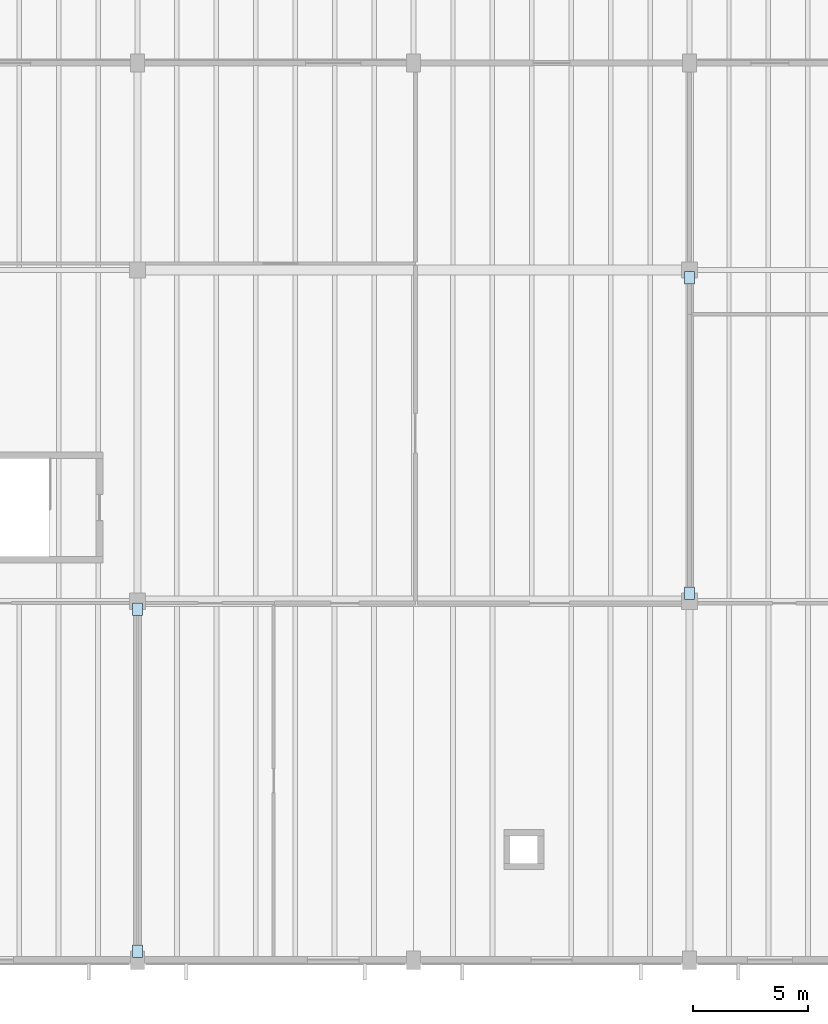
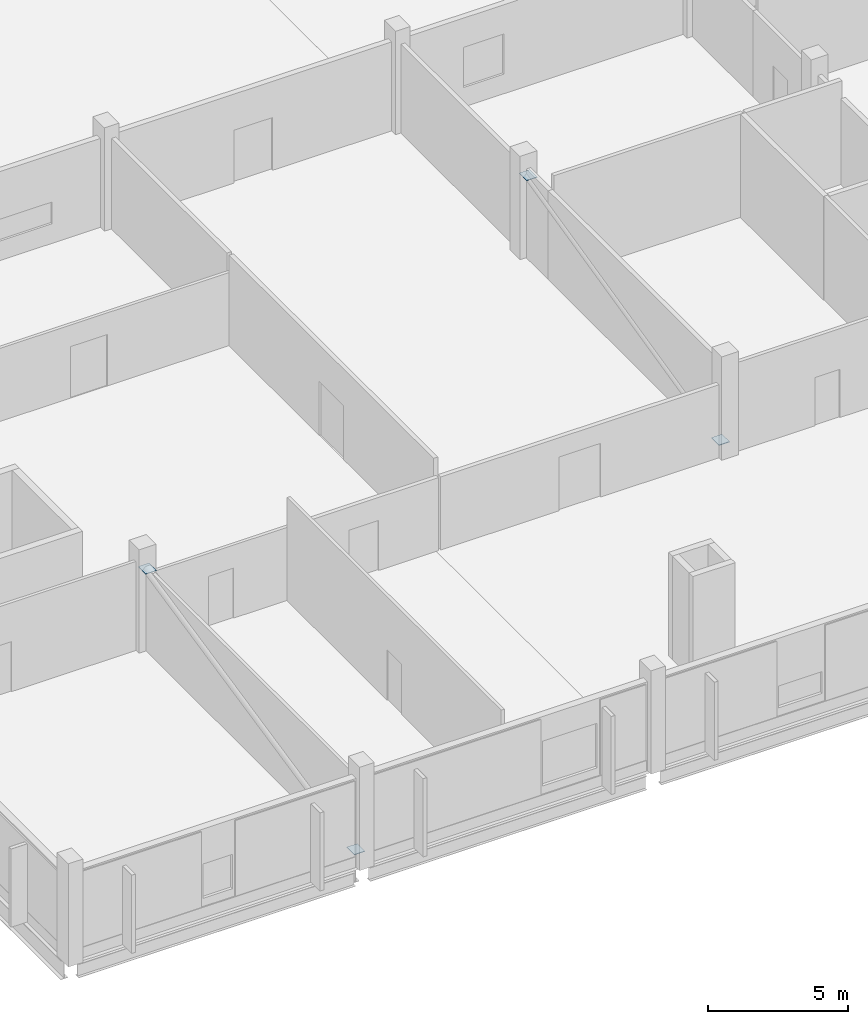
# One storey, part 53 of 78: 4 plates.
"""IFC4 building model written with IfcOpenShell, lengths in metres."""

import ifcopenshell
import ifcopenshell.guid

model = None  # the IFC model being written
_history = None  # IfcOwnerHistory: only IFC2X3 demands one
_inside = {}  # id of a spatial element -> (the spatial element, [elements in it])
_under = {}  # id of a project, library or spatial element -> (it, [spatial elements below it])
_declared = {}  # id of a project -> (the project, [libraries it declares])
_typed = {}  # id of a type object -> (the type object, [elements of that type])
_made_of = {}  # id of a material, layer set ... -> (it, [elements and type objects made of it])


def new_model(schema):
    """Start an empty IFC model of exactly this schema.

    Asked for "IFC4X3", IfcOpenShell would pick the latest addendum, in which some entities
    have other attributes; the version numbers below select the first issue.
    IFC2X3 requires an IfcOwnerHistory on every rooted entity: one is made here for all.
    """
    global model, _history
    if schema == "IFC4X3":
        model = ifcopenshell.file(schema_version=(4, 3, 0, 0))
    else:
        model = ifcopenshell.file(schema=schema)
    _inside.clear()
    _under.clear()
    _declared.clear()
    _typed.clear()
    _made_of.clear()
    _history = None
    if model.schema == "IFC2X3":
        org = make("IfcOrganization", Name="unknown")
        user = make(
            "IfcPersonAndOrganization",
            ThePerson=make("IfcPerson", FamilyName="unknown"),
            TheOrganization=org,
        )
        app = make(
            "IfcApplication",
            ApplicationDeveloper=org,
            Version="unknown",
            ApplicationFullName="unknown",
            ApplicationIdentifier="unknown",
        )
        _history = make(
            "IfcOwnerHistory",
            OwningUser=user,
            OwningApplication=app,
            ChangeAction="ADDED",
            CreationDate=0,
        )
    return model


def make(cls, **values):
    """One entity of the class cls with the attributes given. An attribute that is None is left unset."""
    return model.create_entity(
        cls, **{name: value for name, value in values.items() if value is not None}
    )


def rooted(cls, **values):
    """An entity with a GlobalId (a new one), such as an element, a storey or a relation."""
    return make(cls, GlobalId=ifcopenshell.guid.new(), OwnerHistory=_history, **values)


def si_unit(unit_type, name, prefix=None):
    """IfcSIUnit, for example si_unit("LENGTHUNIT", "METRE", prefix="MILLI")."""
    return make("IfcSIUnit", UnitType=unit_type, Prefix=prefix, Name=name)


def assignment(units):
    """IfcUnitAssignment: the units of a project."""
    return None if units is None else make("IfcUnitAssignment", Units=units)


def point(xyz):
    """IfcCartesianPoint."""
    return None if xyz is None else make("IfcCartesianPoint", Coordinates=xyz)


def direction(xyz):
    """IfcDirection."""
    return None if xyz is None else make("IfcDirection", DirectionRatios=xyz)


def frame(location, z_axis=None, x_axis=None):
    """IfcAxis2Placement3D, a coordinate frame: its origin and axes. An axis left out is left unset."""
    return make(
        "IfcAxis2Placement3D",
        Location=point(location),
        Axis=direction(z_axis),
        RefDirection=direction(x_axis),
    )


def frame_2d(location, x_axis=None):
    """IfcAxis2Placement2D, a coordinate frame in the plane: its origin and x axis."""
    return make(
        "IfcAxis2Placement2D", Location=point(location), RefDirection=direction(x_axis)
    )


def origin():
    """The frame at (0, 0, 0) with its axes left unset."""
    return frame((0.0, 0.0, 0.0))


def origin_2d():
    """The frame at (0, 0) in the plane with its x axis left unset."""
    return frame_2d((0.0, 0.0))


def place(relative_to, where):
    """IfcLocalPlacement: puts the frame where relative to a parent placement (None: the world)."""
    return make(
        "IfcLocalPlacement", PlacementRelTo=relative_to, RelativePlacement=where
    )


def context(
    kind, dimensions, precision=None, world=None, true_north=None, identifier=None
):
    """IfcGeometricRepresentationContext, for example the 3D "Model" context."""
    return make(
        "IfcGeometricRepresentationContext",
        ContextIdentifier=identifier,
        ContextType=kind,
        CoordinateSpaceDimension=dimensions,
        Precision=precision,
        WorldCoordinateSystem=world,
        TrueNorth=true_north,
    )


def subcontext(parent, identifier, kind, view, scale=None):
    """IfcGeometricRepresentationSubContext, for example "Body" below "Model"."""
    return make(
        "IfcGeometricRepresentationSubContext",
        ContextIdentifier=identifier,
        ContextType=kind,
        ParentContext=parent,
        TargetScale=scale,
        TargetView=view,
    )


def project(units=None, contexts=None):
    """IfcProject with its units and contexts."""
    return rooted(
        "IfcProject",
        Name="project",
        RepresentationContexts=contexts,
        UnitsInContext=assignment(units),
    )


def spatial(cls, under=None, at=None, **own):
    """A site, building, storey or space (cls), placed at a placement, below another one or the project."""
    s = rooted(cls, ObjectPlacement=at, **own)
    if under is not None:
        _under.setdefault(under.id(), (under, []))[1].append(s)
    return s


def profile(cls, at=None, kind="AREA", **sizes):
    """A parametric profile (cls). Its sizes go by their IFC names, for example OverallWidth=200.0."""
    return make(cls, ProfileType=kind, Position=at, **sizes)


def rectangle(**sizes):
    """IfcRectangleProfileDef."""
    return profile("IfcRectangleProfileDef", **sizes)


def extrude(swept, where, along, depth):
    """IfcExtrudedAreaSolid: the profile swept, set in the frame where, extruded along a direction by depth."""
    return make(
        "IfcExtrudedAreaSolid",
        SweptArea=swept,
        Position=where,
        ExtrudedDirection=direction(along),
        Depth=depth,
    )


def shape(context_of_items, identifier, shape_type, items):
    """IfcShapeRepresentation: the items that make up one representation, for example the "Body"."""
    return make(
        "IfcShapeRepresentation",
        ContextOfItems=context_of_items,
        RepresentationIdentifier=identifier,
        RepresentationType=shape_type,
        Items=items,
    )


def material(Name=None, Category=None):
    """IfcMaterial."""
    return make("IfcMaterial", Name=Name, Category=Category)


def layer(
    of_material, thickness, ventilated=None, Name=None, Category=None, Priority=None
):
    """IfcMaterialLayer: one layer of a wall or slab, of a material (None: an air gap)."""
    return make(
        "IfcMaterialLayer",
        Material=of_material,
        LayerThickness=thickness,
        IsVentilated=ventilated,
        Name=Name,
        Category=Category,
        Priority=Priority,
    )


def layer_set(layers, Name=None):
    """IfcMaterialLayerSet."""
    return make("IfcMaterialLayerSet", MaterialLayers=layers, LayerSetName=Name)


def made_of(thing, what):
    """Note that an element or type object is made of a material, layer set ...; save() writes the relation."""
    if what is not None:
        _made_of.setdefault(what.id(), (what, []))[1].append(thing)
    return thing


def type_object(cls, material=None, **own):
    """A type object (cls), such as IfcWallType, which elements share."""
    return made_of(rooted(cls, **own), material)


def element(
    cls,
    number,
    at=None,
    inside=None,
    cuts=None,
    type_object=None,
    material=None,
    context=None,
    identifier="Body",
    shape_type=None,
    held_by="IfcProductDefinitionShape",
    body=None,
    shapes=None,
    **own,
):
    """One element of the class cls, such as IfcWall. Its Tag is "e" and its number.

    at: its placement. inside: the storey or other place that contains it. cuts: it is an
    opening in that element (IfcRelVoidsElement). A single representation is given by context,
    identifier, shape_type and body (its items); several are given by shapes. held_by: the class
    of the entity that holds the representations. save() writes the other relations.
    """
    e = rooted(cls, Tag="e%d" % number, ObjectPlacement=at, **own)
    if body is not None:
        shapes = [shape(context, identifier, shape_type, body)]
    if shapes is not None:
        e.Representation = make(held_by, Representations=shapes)
    if inside is not None:
        _inside.setdefault(inside.id(), (inside, []))[1].append(e)
    if cuts is not None:
        rooted(
            "IfcRelVoidsElement", RelatingBuildingElement=cuts, RelatedOpeningElement=e
        )
    if type_object is not None:
        _typed.setdefault(type_object.id(), (type_object, []))[1].append(e)
    return made_of(e, material)


def aggregate(whole, parts):
    """IfcRelAggregates: a whole, such as a stair, and the parts it consists of."""
    return rooted("IfcRelAggregates", RelatingObject=whole, RelatedObjects=parts)


def save(model, path):
    """Write the relations noted so far, then the file.

    IfcRelAggregates (storeys below a building ...), IfcRelContainedInSpatialStructure (elements
    in a storey), IfcRelDefinesByType, IfcRelAssociatesMaterial and IfcRelDeclares: one each for
    every whole, place, type object, material and project.
    """
    for whole, parts in _under.values():
        aggregate(whole, parts)
    for where, things in _inside.values():
        rooted(
            "IfcRelContainedInSpatialStructure",
            RelatedElements=things,
            RelatingStructure=where,
        )
    for kind, things in _typed.values():
        rooted("IfcRelDefinesByType", RelatedObjects=things, RelatingType=kind)
    for what, things in _made_of.values():
        rooted("IfcRelAssociatesMaterial", RelatedObjects=things, RelatingMaterial=what)
    for by, libraries in _declared.values():
        rooted("IfcRelDeclares", RelatingContext=by, RelatedDefinitions=libraries)
    model.write(path)


model = new_model("IFC4")

# Units and contexts
model_context = context("Model", 3, precision=1e-05, world=origin(), true_north=direction((0.0, 1.0)))
body_context = subcontext(model_context, "Body", "Model", "MODEL_VIEW")
ifc_project = project(units=[si_unit("LENGTHUNIT", "METRE"), si_unit("AREAUNIT", "SQUARE_METRE"), si_unit("VOLUMEUNIT", "CUBIC_METRE"), si_unit("PLANEANGLEUNIT", "RADIAN"), si_unit("MASSUNIT", "GRAM", prefix="KILO")], contexts=[model_context])

# Site, building, storey
site_placement = place(None, origin())
site = spatial("IfcSite", under=ifc_project, at=site_placement, CompositionType="ELEMENT")
building_placement = place(site_placement, origin())
building = spatial("IfcBuilding", under=site, at=building_placement, Name="Kelmvaro Bay Concert Hall", CompositionType="ELEMENT")
storey_placement = place(building_placement, frame((0.0, 0.0, 9.300048828125)))
storey = spatial("IfcBuildingStorey", under=building, at=storey_placement, Name="L02", CompositionType="ELEMENT", Elevation=9.300048828125)

# Plates
ifc_material = material(Name="Steel ASTM A572 Grade 50", Category="steel")
ifc_layer = layer(ifc_material, 0.02392578125)
ifc_layer_set = layer_set([ifc_layer], Name="Steel ASTM A572 Grade 50")
plate_type = type_object("IfcPlateType", Name="Lateral Brace Node Gusset Plate 540x440x24", PredefinedType="SHEET", material=ifc_layer_set)
for number, where, z_axis, x_axis, name in (
    (1, (12.0, 0.389404296875, 0.335693359375), (0.0, 0.0, 1.0), (0.0, 1.0, 0.0), "L02 Lateral Diagonal Brace V3-WT End Cap Plate 1 (ND-04)"),
    (2, (12.0, 15.2607421875, 3.540283203125), (0.0, 0.0, 1.0), (0.0, 1.0, 0.0), "L02 Lateral Diagonal Brace V3-WT End Cap Plate 2 (ND-04)"),
    (3, (36.0, 15.939208984375, 0.33544921875), (0.0, 0.0, 1.0), (0.0, 1.0, 0.0), "L02 Lateral Diagonal Brace V3-ET End Cap Plate 1 (ND-04)"),
    (4, (36.0, 29.66064453125, 3.54052734375), (0.0, 0.0, 1.0), (0.0, 1.0, 0.0), "L02 Lateral Diagonal Brace V3-ET End Cap Plate 2 (ND-04)"),
):
    element("IfcPlate", number, at=place(storey_placement, frame(where, z_axis=z_axis, x_axis=x_axis)), inside=storey, type_object=plate_type, Name=name, PredefinedType="SHEET", context=body_context, shape_type="SweptSolid", body=[
        extrude(rectangle(XDim=0.5400390625, YDim=0.43994140625, at=origin_2d()), origin(), (0.0, 0.0, 1.0), 0.02392578125),
    ])

save(model, "model.ifc")
